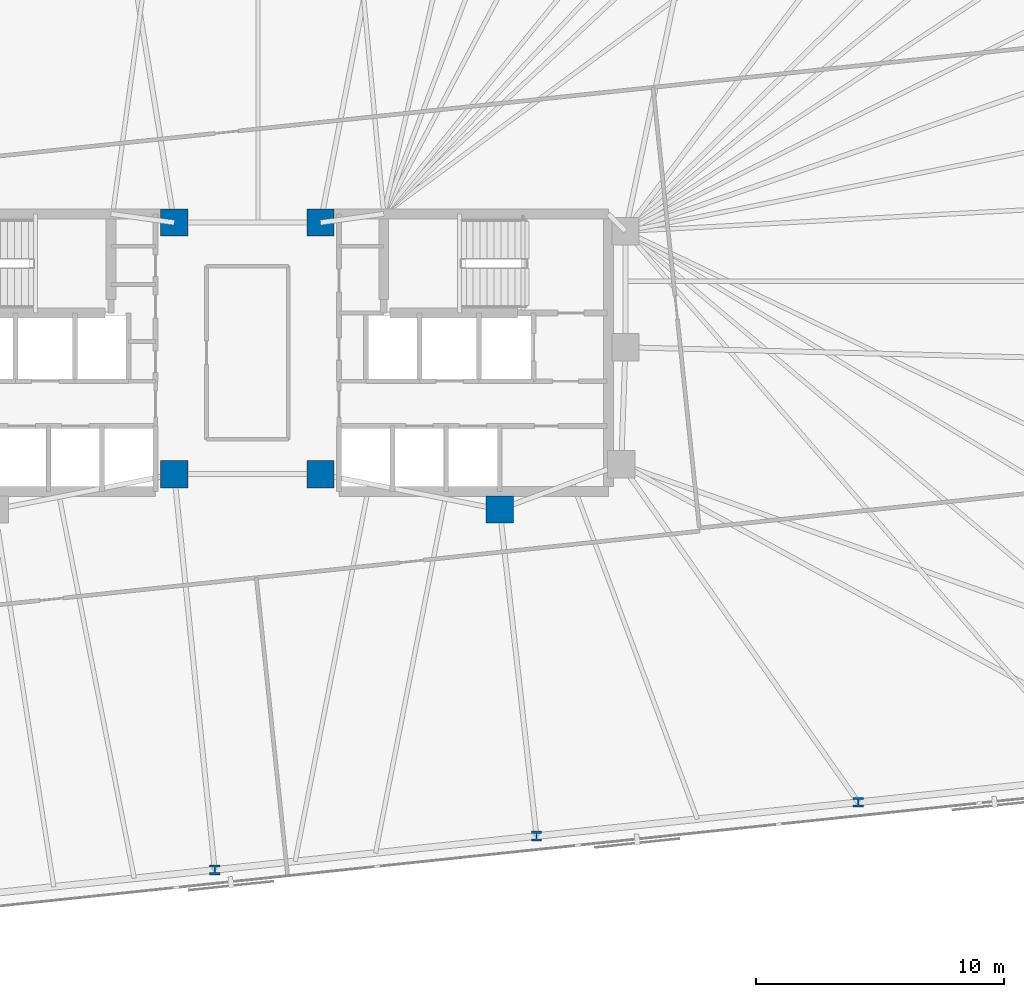
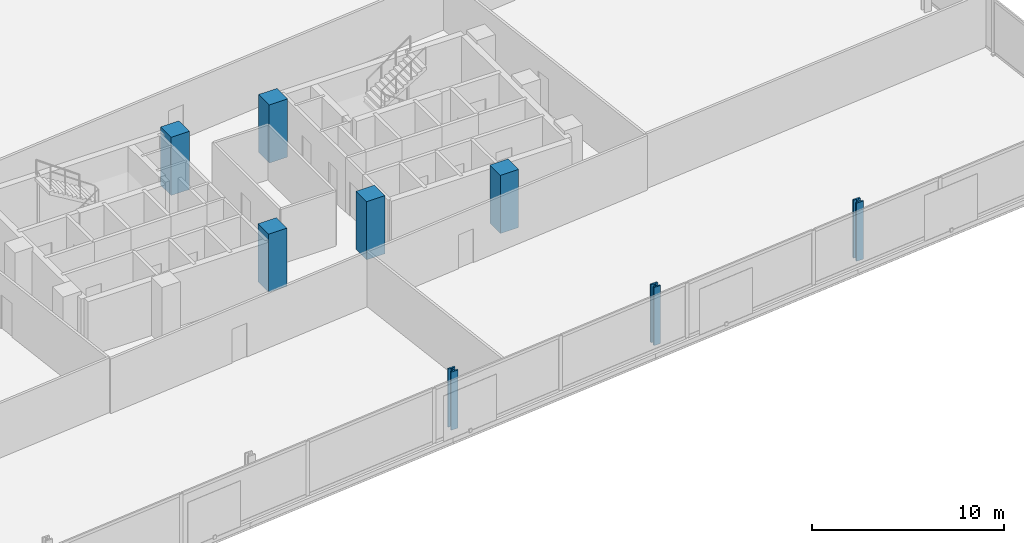
# One storey, part 3 of 17: 8 columns.
"""IFC4 building model written with IfcOpenShell, lengths in metres."""

from ifc_helpers import new_model, si_unit, direction, frame, origin, origin_2d, place, context, subcontext, project, spatial, rectangle, i_section, extrude, material, material_profile, profile_set, type_object, element, save


model = new_model("IFC4")

# Units and contexts
model_context = context("Model", 3, precision=1e-05, world=origin(), true_north=direction((0.0, 1.0)))
body_context = subcontext(model_context, "Body", "Model", "MODEL_VIEW")
ifc_project = project(units=[si_unit("LENGTHUNIT", "METRE"), si_unit("AREAUNIT", "SQUARE_METRE"), si_unit("VOLUMEUNIT", "CUBIC_METRE"), si_unit("PLANEANGLEUNIT", "RADIAN"), si_unit("MASSUNIT", "GRAM", prefix="KILO")], contexts=[model_context])

# Site, building, storey
site_placement = place(None, origin())
site = spatial("IfcSite", under=ifc_project, at=site_placement, CompositionType="ELEMENT")
building_placement = place(site_placement, origin())
building = spatial("IfcBuilding", under=site, at=building_placement, Name="Menara Jurai Vektor", CompositionType="ELEMENT")
storey_placement = place(building_placement, frame((0.0, 0.0, 131.800048828125)))
storey = spatial("IfcBuildingStorey", under=building, at=storey_placement, Name="L33", CompositionType="ELEMENT", Elevation=131.800048828125)

# Columns
ifc_material_1 = material(Name="Concrete C50/60", Category="concrete")
ifc_material_profile_1 = material_profile(ifc_material_1, rectangle(XDim=1.10009765625, YDim=1.10009765625, at=origin_2d()), Name="RC 1100x1100")
ifc_profile_set_1 = profile_set([ifc_material_profile_1], Name="Concrete C50/60")
column_type_1 = type_object("IfcColumnType", Name="STR-COL-RC1100", PredefinedType="COLUMN", material=ifc_profile_set_1)
for number, where, z_axis, x_axis, name in (
    (1, (-2.949951171875, -4.89990234375, 0.0), (0.0, 0.0, 1.0), (1.0, 0.0, 0.0), "Core Spine Column CW-SE L33"),
    (2, (-2.949951171875, 5.25, 0.0), (0.0, 0.0, 1.0), (1.0, 0.0, 0.0), "Core Spine Column CW-NE L33"),
    (3, (10.179931640625, -6.320068359375, 0.0), (0.0, 0.0, 1.0), (1.0, 0.0, 0.0), "Core Spine Column CE-SM L33"),
    (4, (2.949951171875, -4.89990234375, 0.0), (0.0, 0.0, 1.0), (1.0, 0.0, 0.0), "Core Spine Column CE-SW L33"),
    (5, (2.949951171875, 5.25, 0.0), (0.0, 0.0, 1.0), (1.0, 0.0, 0.0), "Core Spine Column CE-NW L33"),
):
    element("IfcColumn", number, at=place(storey_placement, frame(where, z_axis=z_axis, x_axis=x_axis)), inside=storey, type_object=column_type_1, Name=name, PredefinedType="COLUMN", context=body_context, shape_type="SweptSolid", body=[
        extrude(rectangle(XDim=1.10009765625, YDim=1.10009765625, at=origin_2d()), origin(), (0.0, 0.0, 1.0), 3.699951171875),
    ])
ifc_material_2 = material(Name="Steel S460", Category="steel")
ifc_material_profile_2 = material_profile(ifc_material_2, i_section(OverallWidth=0.4130859375, OverallDepth=0.39794921875, WebThickness=0.055908203125, FlangeThickness=0.089111328125, FilletRadius=0.014892578125, at=origin_2d()), Name="HD 400x744")
ifc_profile_set_2 = profile_set([ifc_material_profile_2], Name="Steel S460")
column_type_2 = type_object("IfcColumnType", Name="STR-EXO-BLK2", PredefinedType="COLUMN", material=ifc_profile_set_2)
for number, where, z_axis, x_axis, name in (
    (6, (-1.317138671875, -20.857666015625, 0.0), (0.0, 0.0, 1.0), (1.0, 0.0, 0.0), "Exoskeleton Column BLK2-S3 L33"),
    (7, (11.66259765625, -19.49365234375, 0.0), (0.0, 0.0, 1.0), (1.0, 0.0, 0.0), "Exoskeleton Column BLK2-S4 L33"),
    (8, (24.642333984375, -18.12939453125, 0.0), (0.0, 0.0, 1.0), (1.0, 0.0, 0.0), "Exoskeleton Column BLK2-S5 L33"),
):
    element("IfcColumn", number, at=place(storey_placement, frame(where, z_axis=z_axis, x_axis=x_axis)), inside=storey, type_object=column_type_2, Name=name, PredefinedType="COLUMN", context=body_context, shape_type="SweptSolid", body=[
        extrude(i_section(OverallWidth=0.4130859375, OverallDepth=0.39794921875, WebThickness=0.055908203125, FlangeThickness=0.089111328125, FilletRadius=0.014892578125, at=origin_2d()), origin(), (0.0, 0.0, 1.0), 3.699951171875),
    ])

save(model, "model.ifc")
